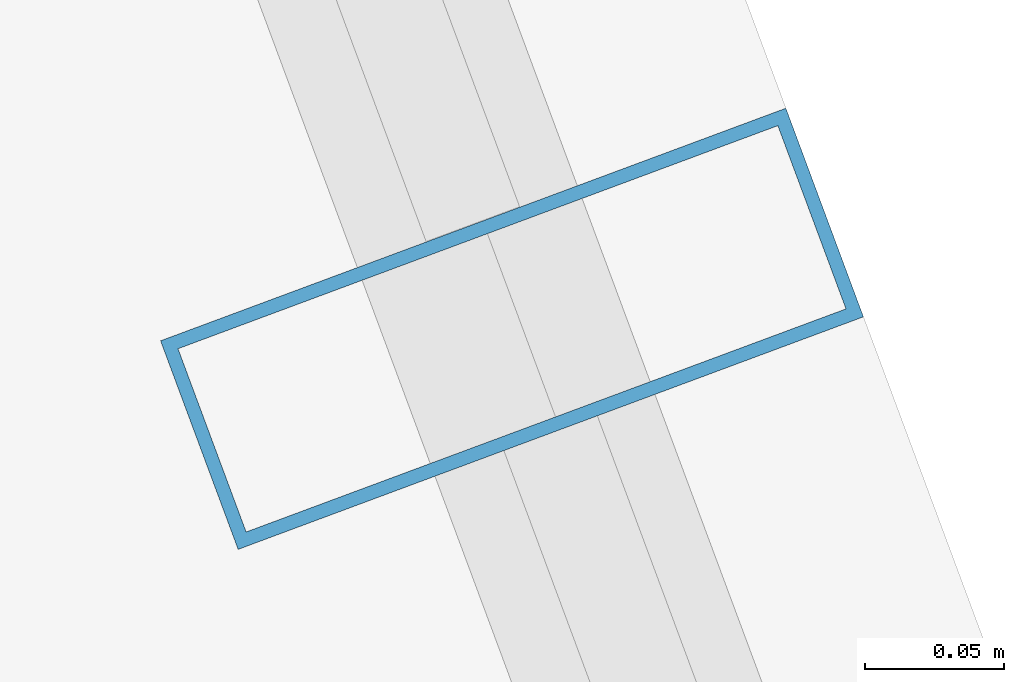
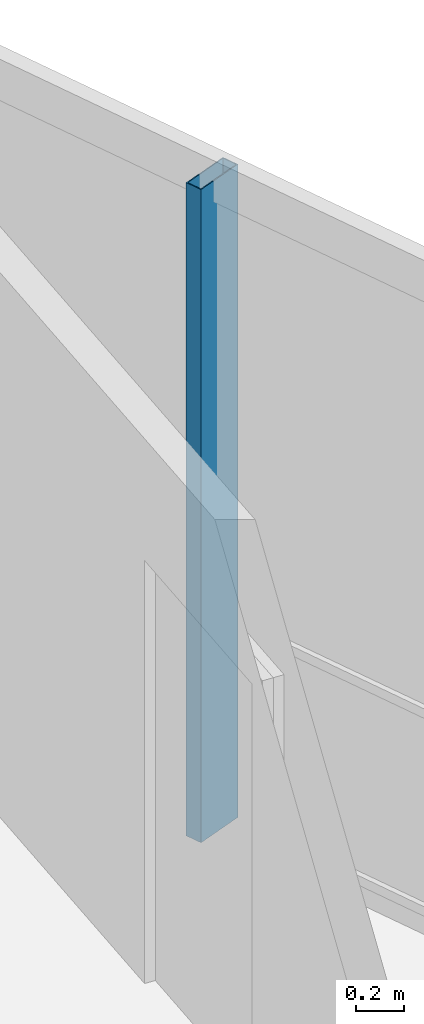
# One storey, part 12 of 19: 1 member, 1 element without a shape of its own.
"""IFC4 building model written with IfcOpenShell, lengths in metres."""

from ifc_helpers import new_model, si_unit, direction, frame, origin, origin_2d, place, context, subcontext, project, spatial, hollow_rectangle, extrude, material, layer, layer_set, material_profile, profile_set, type_object, element, aggregate, save


model = new_model("IFC4")

# Units and contexts
model_context = context("Model", 3, precision=1e-05, world=origin(), true_north=direction((0.0, 1.0)))
body_context = subcontext(model_context, "Body", "Model", "MODEL_VIEW")
ifc_project = project(units=[si_unit("LENGTHUNIT", "METRE"), si_unit("AREAUNIT", "SQUARE_METRE"), si_unit("VOLUMEUNIT", "CUBIC_METRE"), si_unit("PLANEANGLEUNIT", "RADIAN"), si_unit("MASSUNIT", "GRAM", prefix="KILO")], contexts=[model_context])

# Site, building, storey
site_placement = place(None, origin())
site = spatial("IfcSite", under=ifc_project, at=site_placement, CompositionType="ELEMENT")
building_placement = place(site_placement, origin())
building = spatial("IfcBuilding", under=site, at=building_placement, Name="Qarnah Convention Tower", CompositionType="ELEMENT")
storey_placement = place(building_placement, frame((0.0, 0.0, 257.10009765625)))
storey = spatial("IfcBuildingStorey", under=building, at=storey_placement, Name="L69", CompositionType="ELEMENT", Elevation=257.10009765625)

# Curtain wall, member
ifc_material_1 = material(Name="Tempered Low-E dark glass", Category="glass")
ifc_layer = layer(ifc_material_1, 0.176025390625)
ifc_layer_set = layer_set([ifc_layer], Name="Tempered Low-E dark glass")
curtain_wall_type = type_object("IfcCurtainWallType", Name="CWS-05", PredefinedType="NOTDEFINED", material=ifc_layer_set)
curtain_wall_placement = place(storey_placement, origin())
curtain_wall = element("IfcCurtainWall", 1, at=curtain_wall_placement, inside=storey, type_object=curtain_wall_type, Name="L69 unitised curtain wall CW-L69-F2", PredefinedType="NOTDEFINED")
ifc_material_2 = material(Name="Black anodised aluminium", Category="aluminium")
ifc_material_profile = material_profile(ifc_material_2, hollow_rectangle(XDim=0.080078125, YDim=0.239990234375, WallThickness=0.0048828125, at=origin_2d()), Name="MUL-80X240")
ifc_profile_set = profile_set([ifc_material_profile], Name="Black anodised aluminium")
member_type = type_object("IfcMemberType", Name="MUL-T5", PredefinedType="MULLION", material=ifc_profile_set)
member_placement = place(storey_placement, frame((50.313232421875, 34.248291015625, 0.0), z_axis=(0.0, 0.0, 1.0), x_axis=(0.348572341778, -0.937281879985, 0.0)))
member = element("IfcMember", 2, at=member_placement, type_object=member_type, Name="CW-L69-F2 mullion 3", PredefinedType="MULLION", context=body_context, shape_type="SweptSolid", body=[
    extrude(hollow_rectangle(XDim=0.080078125, YDim=0.239990234375, WallThickness=0.0048828125, at=origin_2d()), origin(), (0.0, 0.0, 1.0), 3.31982421875),
])
aggregate(curtain_wall, [member])

save(model, "model.ifc")
